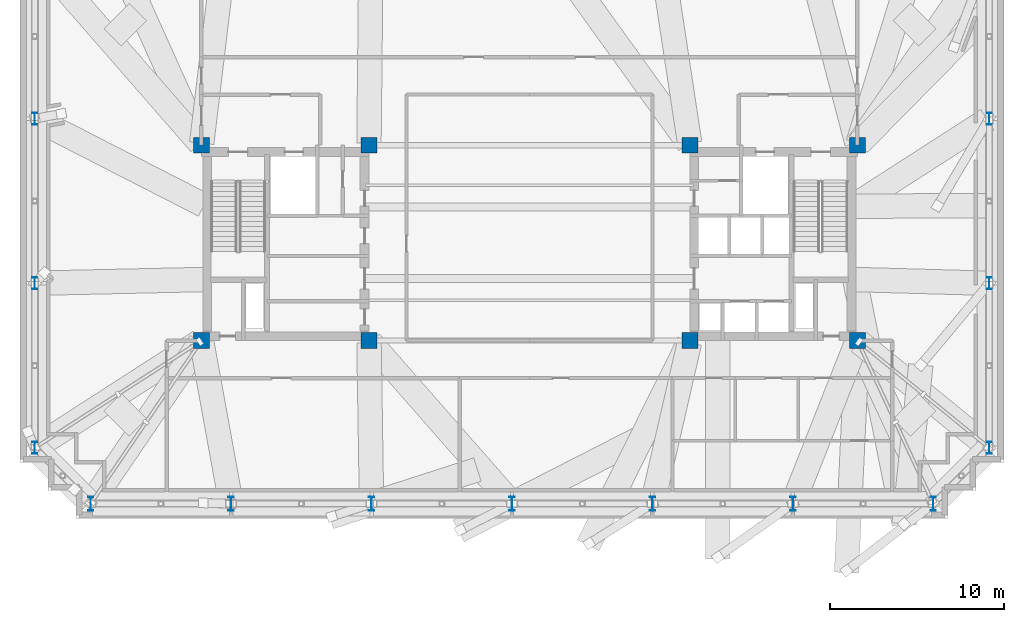
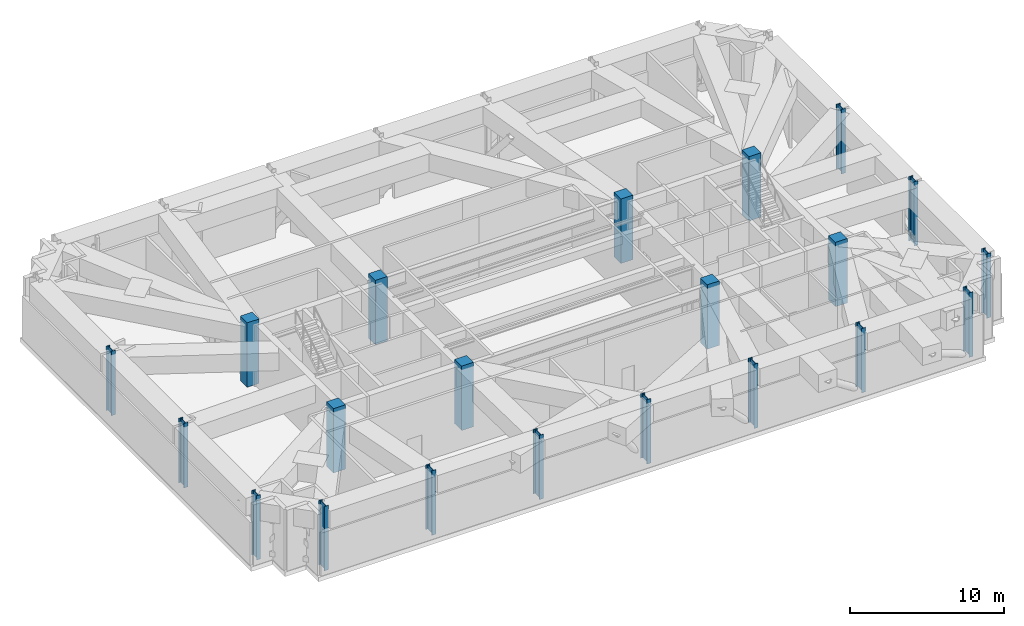
# One storey, part 1 of 18: 21 columns.
"""IFC4 building model written with IfcOpenShell, lengths in metres."""

from ifc_helpers import new_model, si_unit, direction, frame, origin, origin_2d, place, context, subcontext, project, spatial, rectangle, i_section, extrude, material, material_profile, profile_set, type_object, element, save


model = new_model("IFC4")

# Units and contexts
model_context = context("Model", 3, precision=1e-05, world=origin(), true_north=direction((0.0, 1.0)))
body_context = subcontext(model_context, "Body", "Model", "MODEL_VIEW")
ifc_project = project(units=[si_unit("LENGTHUNIT", "METRE"), si_unit("AREAUNIT", "SQUARE_METRE"), si_unit("VOLUMEUNIT", "CUBIC_METRE"), si_unit("PLANEANGLEUNIT", "RADIAN"), si_unit("MASSUNIT", "GRAM", prefix="KILO")], contexts=[model_context])

# Site, building, storey
site_placement = place(None, origin())
site = spatial("IfcSite", under=ifc_project, at=site_placement, CompositionType="ELEMENT")
building_placement = place(site_placement, origin())
building = spatial("IfcBuilding", under=site, at=building_placement, Name="Qobustan Lattice House", CompositionType="ELEMENT")
storey_placement = place(building_placement, frame((0.0, 0.0, 174.550048828125)))
storey = spatial("IfcBuildingStorey", under=building, at=storey_placement, Name="L49", CompositionType="ELEMENT", Elevation=174.550048828125)

# Columns
ifc_material_1 = material(Name="Concrete C50/60", Category="concrete")
ifc_material_profile_1 = material_profile(ifc_material_1, rectangle(XDim=0.89990234375, YDim=0.89990234375, at=origin_2d()), Name="RC900x900")
ifc_profile_set_1 = profile_set([ifc_material_profile_1], Name="Concrete C50/60")
column_type_1 = type_object("IfcColumnType", Name="COL-RC-900", PredefinedType="COLUMN", material=ifc_profile_set_1)
for number, where, z_axis, x_axis, name in (
    (1, (-18.800048828125, -5.60009765625, 0.0), (0.0, 0.0, 1.0), (1.0, 0.0, 0.0), "L49 core mega-column CW-SW"),
    (2, (-18.800048828125, 5.60009765625, 0.0), (0.0, 0.0, 1.0), (1.0, 0.0, 0.0), "L49 core mega-column CW-NW"),
    (3, (-9.199951171875, -5.60009765625, 0.0), (0.0, 0.0, 1.0), (1.0, 0.0, 0.0), "L49 core mega-column CW-SE"),
    (4, (-9.199951171875, 5.60009765625, 0.0), (0.0, 0.0, 1.0), (1.0, 0.0, 0.0), "L49 core mega-column CW-NE"),
    (5, (9.199951171875, -5.60009765625, 0.0), (0.0, 0.0, 1.0), (1.0, 0.0, 0.0), "L49 core mega-column CE-SW"),
    (6, (9.199951171875, 5.60009765625, 0.0), (0.0, 0.0, 1.0), (1.0, 0.0, 0.0), "L49 core mega-column CE-NW"),
    (7, (18.800048828125, -5.60009765625, 0.0), (0.0, 0.0, 1.0), (1.0, 0.0, 0.0), "L49 core mega-column CE-SE"),
    (8, (18.800048828125, 5.60009765625, 0.0), (0.0, 0.0, 1.0), (1.0, 0.0, 0.0), "L49 core mega-column CE-NE"),
):
    element("IfcColumn", number, at=place(storey_placement, frame(where, z_axis=z_axis, x_axis=x_axis)), inside=storey, type_object=column_type_1, Name=name, PredefinedType="COLUMN", context=body_context, shape_type="SweptSolid", body=[
        extrude(rectangle(XDim=0.89990234375, YDim=0.89990234375, at=origin_2d()), origin(), (0.0, 0.0, 1.0), 5.099853515625),
    ])
ifc_material_2 = material(Name="Steel S355", Category="steel")
ifc_material_profile_2 = material_profile(ifc_material_2, i_section(OverallWidth=0.300048828125, OverallDepth=0.699951171875, WebThickness=0.01708984375, FlangeThickness=0.031982421875, FilletRadius=0.027099609375, at=origin_2d()), Name="HEB700")
ifc_profile_set_2 = profile_set([ifc_material_profile_2], Name="Steel S355")
column_type_2 = type_object("IfcColumnType", Name="COL-ST-HEB700", PredefinedType="COLUMN", material=ifc_profile_set_2)
for number, where, z_axis, x_axis, name in (
    (9, (26.35009765625, -11.75, 0.0), (0.0, 0.0, 1.0), (1.0, 0.0, 0.0), "L49 B3 perimeter column E1"),
    (10, (26.35009765625, -2.316650390625, 0.0), (0.0, 0.0, 1.0), (1.0, 0.0, 0.0), "L49 B3 perimeter column E2"),
    (11, (26.35009765625, 7.11669921875, 0.0), (0.0, 0.0, 1.0), (1.0, 0.0, 0.0), "L49 B3 perimeter column E3"),
    (12, (-28.35009765625, 7.11669921875, 0.0), (0.0, 0.0, 1.0), (1.0, 0.0, 0.0), "L49 B3 perimeter column W2"),
    (13, (-28.35009765625, -2.316650390625, 0.0), (0.0, 0.0, 1.0), (1.0, 0.0, 0.0), "L49 B3 perimeter column W3"),
    (14, (-28.35009765625, -11.75, 0.0), (0.0, 0.0, 1.0), (1.0, 0.0, 0.0), "L49 B3 perimeter column W4"),
):
    element("IfcColumn", number, at=place(storey_placement, frame(where, z_axis=z_axis, x_axis=x_axis)), inside=storey, type_object=column_type_2, Name=name, PredefinedType="COLUMN", context=body_context, shape_type="SweptSolid", body=[
        extrude(i_section(OverallWidth=0.300048828125, OverallDepth=0.699951171875, WebThickness=0.01708984375, FlangeThickness=0.031982421875, FilletRadius=0.027099609375, at=origin_2d()), origin(), (0.0, 0.0, 1.0), 5.099853515625),
    ])
ifc_material_3 = material(Name="Steel S355", Category="steel")
ifc_material_profile_3 = material_profile(ifc_material_3, i_section(OverallWidth=0.300048828125, OverallDepth=0.800048828125, WebThickness=0.017578125, FlangeThickness=0.032958984375, FilletRadius=0.030029296875, at=origin_2d()), Name="HEB800")
ifc_profile_set_3 = profile_set([ifc_material_profile_3], Name="Steel S355")
column_type_3 = type_object("IfcColumnType", Name="COL-ST-HEB800", PredefinedType="COLUMN", material=ifc_profile_set_3)
for number, where, z_axis, x_axis, name in (
    (15, (-25.14990234375, -14.949951171875, 0.0), (0.0, 0.0, 1.0), (1.0, 0.0, 0.0), "L49 B3 perimeter column S1"),
    (16, (-17.10009765625, -14.949951171875, 0.0), (0.0, 0.0, 1.0), (1.0, 0.0, 0.0), "L49 B3 perimeter column S2"),
    (17, (-9.050048828125, -14.949951171875, 0.0), (0.0, 0.0, 1.0), (1.0, 0.0, 0.0), "L49 B3 perimeter column S3"),
    (18, (-1.0, -14.949951171875, 0.0), (0.0, 0.0, 1.0), (1.0, 0.0, 0.0), "L49 B3 perimeter column S4"),
    (19, (7.050048828125, -14.949951171875, 0.0), (0.0, 0.0, 1.0), (1.0, 0.0, 0.0), "L49 B3 perimeter column S5"),
    (20, (15.10009765625, -14.949951171875, 0.0), (0.0, 0.0, 1.0), (1.0, 0.0, 0.0), "L49 B3 perimeter column S6"),
    (21, (23.14990234375, -14.949951171875, 0.0), (0.0, 0.0, 1.0), (1.0, 0.0, 0.0), "L49 B3 perimeter column S7"),
):
    element("IfcColumn", number, at=place(storey_placement, frame(where, z_axis=z_axis, x_axis=x_axis)), inside=storey, type_object=column_type_3, Name=name, PredefinedType="COLUMN", context=body_context, shape_type="SweptSolid", body=[
        extrude(i_section(OverallWidth=0.300048828125, OverallDepth=0.800048828125, WebThickness=0.017578125, FlangeThickness=0.032958984375, FilletRadius=0.030029296875, at=origin_2d()), origin(), (0.0, 0.0, 1.0), 5.099853515625),
    ])

save(model, "model.ifc")
